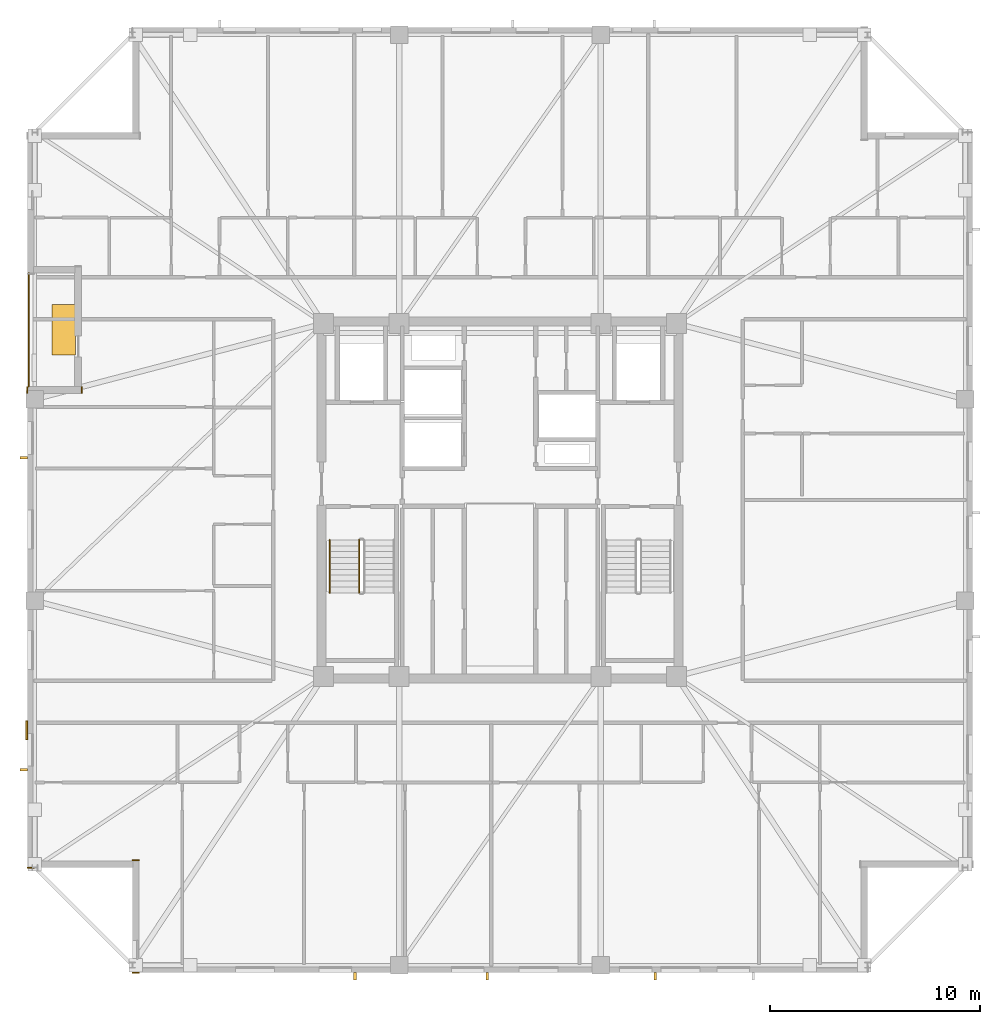
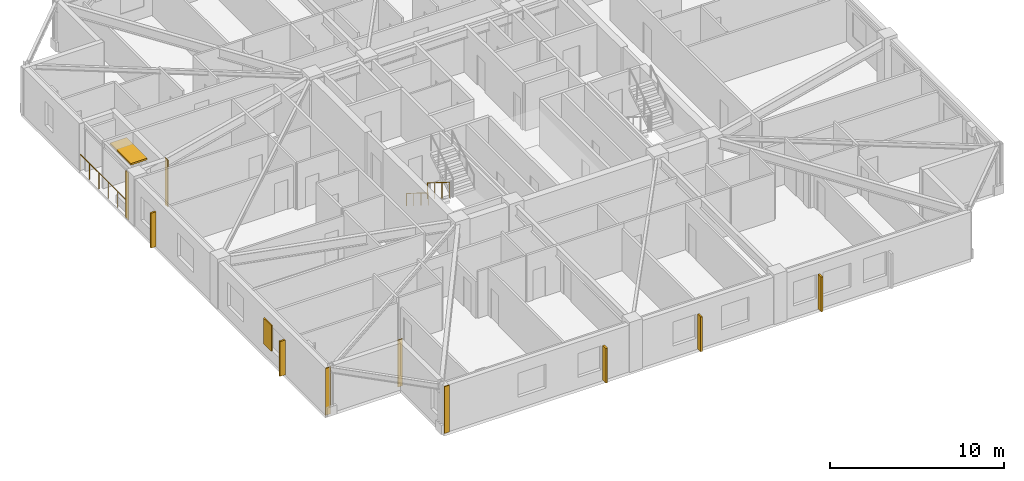
# One storey, part 13 of 17: 7 shading devices, 5 coverings, 3 railings.
"""IFC4 building model written with IfcOpenShell, lengths in metres."""

from ifc_helpers import new_model, si_unit, direction, frame, frame_2d, origin, origin_2d, place, context, subcontext, project, spatial, rectangle, circle, extrude, material, layer, layer_set, type_object, element, save


model = new_model("IFC4")

# Units and contexts
model_context = context("Model", 3, precision=1e-05, world=origin(), true_north=direction((0.0, 1.0)))
body_context = subcontext(model_context, "Body", "Model", "MODEL_VIEW")
ifc_project = project(units=[si_unit("LENGTHUNIT", "METRE"), si_unit("AREAUNIT", "SQUARE_METRE"), si_unit("VOLUMEUNIT", "CUBIC_METRE"), si_unit("PLANEANGLEUNIT", "RADIAN"), si_unit("MASSUNIT", "GRAM", prefix="KILO")], contexts=[model_context])

# Site, building, storey
site_placement = place(None, origin())
site = spatial("IfcSite", under=ifc_project, at=site_placement, CompositionType="ELEMENT")
building_placement = place(site_placement, origin())
building = spatial("IfcBuilding", under=site, at=building_placement, Name="Cairnveth Concourse Tower", CompositionType="ELEMENT")
storey_placement = place(building_placement, frame((0.0, 0.0, 227.0)))
storey = spatial("IfcBuildingStorey", under=building, at=storey_placement, Name="L62", CompositionType="ELEMENT", Elevation=227.0)

# Coverings
ifc_material_1 = material(Name="Dressed Melbourne Bluestone Cladding", Category="masonry")
ifc_layer = layer(ifc_material_1, 0.050048828125)
ifc_layer_set = layer_set([ifc_layer], Name="Dressed Melbourne Bluestone Cladding")
covering_type = type_object("IfcCoveringType", Name="DRESSED BLUESTONE PLINTH CLADDING 50", PredefinedType="CLADDING", material=ifc_layer_set)
for number, where, z_axis, x_axis, name in (
    (1, (34.820068359375, 16.47998046875, 0.0), (0.0, 0.0, 1.0), (-1.0, 0.0, 0.0), "Melbourne Bluestone Corner Quoin L62-937"),
    (2, (34.820068359375, 21.840087890625, 0.0), (0.0, 0.0, 1.0), (-1.0, 0.0, 0.0), "Melbourne Bluestone Corner Quoin L62-938"),
    (3, (29.820068359375, 21.47998046875, 0.0), (0.0, 0.0, 1.0), (-1.0, 0.0, 0.0), "Melbourne Bluestone Corner Quoin L62-939"),
):
    element("IfcCovering", number, at=place(storey_placement, frame(where, z_axis=z_axis, x_axis=x_axis)), inside=storey, type_object=covering_type, Name=name, PredefinedType="CLADDING", context=body_context, shape_type="SweptSolid", body=[
        extrude(rectangle(XDim=0.320068359375, YDim=0.050048828125, at=frame_2d((0.16015625, 0.0))), origin(), (0.0, 0.0, 1.0), 3.2900390625),
    ])
for number, where, z_axis, x_axis, name in (
    (4, (29.47998046875, 44.080078125, 0.0), (0.0, 0.0, 1.0), (0.0, 1.0, 0.0), "Melbourne Bluestone Corner Quoin L62-940"),
    (5, (32.090087890625, 44.080078125, 0.0), (0.0, 0.0, 1.0), (0.0, 1.0, 0.0), "Melbourne Bluestone Corner Quoin L62-941"),
):
    element("IfcCovering", number, at=place(storey_placement, frame(where, z_axis=z_axis, x_axis=x_axis)), inside=storey, type_object=covering_type, Name=name, PredefinedType="CLADDING", context=body_context, shape_type="SweptSolid", body=[
        extrude(rectangle(XDim=0.31982421875, YDim=0.050048828125, at=frame_2d((0.159912109375, 0.0))), origin(), (0.0, 0.0, 1.0), 3.2900390625),
    ])

# Shading devices
ifc_material_2 = material(Name="Architectural Bronze Anodised Aluminium 6063-T6", Category="aluminium")
shading_device_type_1 = type_object("IfcShadingDeviceType", Name="GOTHIC BRONZE VERTICAL LANCET FIN", PredefinedType="USERDEFINED", material=ifc_material_2)
for number, where, z_axis, x_axis, name in (
    (6, (59.39697265625, 16.324951171875, 0.030029296875), (0.0, 0.0, 1.0), (1.0, 0.0, 0.0), "Gothic Bronze Vertical Fin L62-9-3"),
    (7, (51.396484375, 16.324951171875, 0.030029296875), (0.0, 0.0, 1.0), (1.0, 0.0, 0.0), "Gothic Bronze Vertical Fin L62-9-5"),
    (8, (45.095947265625, 16.324951171875, 0.030029296875), (0.0, 0.0, 1.0), (1.0, 0.0, 0.0), "Gothic Bronze Vertical Fin L62-9-7"),
    (9, (29.324951171875, 26.165283203125, 0.030029296875), (0.0, 0.0, 1.0), (0.0, 1.0, 0.0), "Gothic Bronze Vertical Fin L62-12-1"),
    (10, (29.324951171875, 41.016845703125, 0.030029296875), (0.0, 0.0, 1.0), (0.0, 1.0, 0.0), "Gothic Bronze Vertical Fin L62-12-5"),
):
    element("IfcShadingDevice", number, at=place(storey_placement, frame(where, z_axis=z_axis, x_axis=x_axis)), inside=storey, type_object=shading_device_type_1, Name=name, ObjectType="VERTICAL FIN", PredefinedType="USERDEFINED", context=body_context, shape_type="SweptSolid", body=[
        extrude(rectangle(XDim=0.1201171875, YDim=0.360107421875, at=origin_2d()), origin(), (0.0, 0.0, 1.0), 2.43798828125),
    ])
shading_device_type_2 = type_object("IfcShadingDeviceType", Name="SPIRAL TERRACE SUNSHADE CANOPY", PredefinedType="USERDEFINED", material=ifc_material_2)
shading_device_1_placement = place(storey_placement, frame((31.22998046875, 47.10009765625, 2.31787109375), z_axis=(0.0, 0.0, 1.0), x_axis=(1.0, 0.0, 0.0)))
element("IfcShadingDevice", 11, at=shading_device_1_placement, inside=storey, type_object=shading_device_type_2, Name="Spiral Terrace Sunshade L62", ObjectType="TERRACE SUNSHADE", PredefinedType="USERDEFINED", context=body_context, shape_type="SweptSolid", body=[
    extrude(rectangle(XDim=1.10009765625, YDim=2.39990234375, at=origin_2d()), origin(), (0.0, 0.0, 1.0), 0.1201171875),
])

# Railings
ifc_material_3 = material(Name="Steel Grade 350", Category="steel")
railing_type_1 = type_object("IfcRailingType", Name="STAIR GUARDRAIL 1150", PredefinedType="GUARDRAIL", material=ifc_material_3)
railing_1_placement = place(storey_placement, frame((45.2900390625, 37.10009765625, 0.175048828125)))
element("IfcRailing", 12, at=railing_1_placement, inside=storey, type_object=railing_type_1, Name="L62 ST-1 stair guard 1", PredefinedType="GUARDRAIL", context=body_context, shape_type="SweptSolid", body=[
    extrude(circle(Radius=0.02392578125, at=origin_2d()), frame((0.0, 0.0, 1.1259765625), z_axis=(0.0, -0.848007534815, 0.529984170421), x_axis=(1.0, 0.0, 0.0)), (0.0, 0.0, 1.0), 2.9716796875),
    extrude(circle(Radius=0.02099609375, at=origin_2d()), origin(), (0.0, 0.0, 1.0), 1.101806640625),
    extrude(circle(Radius=0.02099609375, at=origin_2d()), frame((0.0, -0.840087890625, 0.52490234375)), (0.0, 0.0, 1.0), 1.101806640625),
    extrude(circle(Radius=0.02099609375, at=origin_2d()), frame((0.0, -1.679931640625, 1.050048828125)), (0.0, 0.0, 1.0), 1.101806640625),
    extrude(circle(Radius=0.02099609375, at=origin_2d()), frame((0.0, -2.52001953125, 1.574951171875)), (0.0, 0.0, 1.0), 1.101806640625),
])
railing_type_2 = type_object("IfcRailingType", Name="STAIR WALL HANDRAIL 900", PredefinedType="HANDRAIL", material=ifc_material_3)
railing_2_placement = place(storey_placement, frame((43.889892578125, 37.10009765625, 0.175048828125)))
element("IfcRailing", 13, at=railing_2_placement, inside=storey, type_object=railing_type_2, Name="L62 ST-1 stair handrail 1", PredefinedType="HANDRAIL", context=body_context, shape_type="SweptSolid", body=[
    extrude(circle(Radius=0.02392578125, at=origin_2d()), frame((0.0, 0.0, 0.8759765625), z_axis=(0.0, -0.848007534815, 0.529984170421), x_axis=(1.0, 0.0, 0.0)), (0.0, 0.0, 1.0), 2.9716796875),
    extrude(circle(Radius=0.02099609375, at=origin_2d()), origin(), (0.0, 0.0, 1.0), 0.851806640625),
    extrude(circle(Radius=0.02099609375, at=origin_2d()), frame((0.0, -0.840087890625, 0.52490234375)), (0.0, 0.0, 1.0), 0.851806640625),
    extrude(circle(Radius=0.02099609375, at=origin_2d()), frame((0.0, -1.679931640625, 1.050048828125)), (0.0, 0.0, 1.0), 0.851806640625),
    extrude(circle(Radius=0.02099609375, at=origin_2d()), frame((0.0, -2.52001953125, 1.574951171875)), (0.0, 0.0, 1.0), 0.851806640625),
])
railing_type_3 = type_object("IfcRailingType", Name="TERRACE BRONZE BALUSTRADE 1150", PredefinedType="BALUSTRADE", material=ifc_material_2)
railing_3_placement = place(storey_placement, frame((29.56005859375, 44.39990234375, 0.0)))
element("IfcRailing", 14, at=railing_3_placement, inside=storey, type_object=railing_type_3, Name="Terrace Balustrade RL-L62-TERR", PredefinedType="BALUSTRADE", context=body_context, shape_type="SweptSolid", body=[
    extrude(circle(Radius=0.02490234375, at=origin_2d()), frame((0.0, 0.0, 1.125), z_axis=(0.0, 1.0, 0.0), x_axis=(-1.0, 0.0, 0.0)), (0.0, 0.0, 1.0), 5.400146484375),
    extrude(circle(Radius=0.02099609375, at=origin_2d()), origin(), (0.0, 0.0, 1.0), 1.099853515625),
    extrude(circle(Radius=0.02099609375, at=origin_2d()), frame((0.0, 1.080078125, 0.0)), (0.0, 0.0, 1.0), 1.099853515625),
    extrude(circle(Radius=0.02099609375, at=origin_2d()), frame((0.0, 2.16015625, 0.0)), (0.0, 0.0, 1.0), 1.099853515625),
    extrude(circle(Radius=0.02099609375, at=origin_2d()), frame((0.0, 3.239990234375, 0.0)), (0.0, 0.0, 1.0), 1.099853515625),
    extrude(circle(Radius=0.02099609375, at=origin_2d()), frame((0.0, 4.320068359375, 0.0)), (0.0, 0.0, 1.0), 1.099853515625),
    extrude(circle(Radius=0.02099609375, at=origin_2d()), frame((0.0, 5.400146484375, 0.0)), (0.0, 0.0, 1.0), 1.099853515625),
])

# Shading device
shading_device_type_3 = type_object("IfcShadingDeviceType", Name="WEST SOLAR PERFORATED SHUTTER", PredefinedType="SHUTTER", material=ifc_material_2)
shading_device_2_placement = place(storey_placement, frame((29.464111328125, 28.03515625, 0.7998046875), z_axis=(0.0, 0.0, 1.0), x_axis=(1.0, 0.0, 0.0)))
element("IfcShadingDevice", 15, at=shading_device_2_placement, inside=storey, type_object=shading_device_type_3, Name="West Solar Shutter L62", PredefinedType="SHUTTER", context=body_context, shape_type="SweptSolid", body=[
    extrude(rectangle(XDim=0.080078125, YDim=0.89990234375, at=origin_2d()), origin(), (0.0, 0.0, 1.0), 1.800048828125),
])

save(model, "model.ifc")
